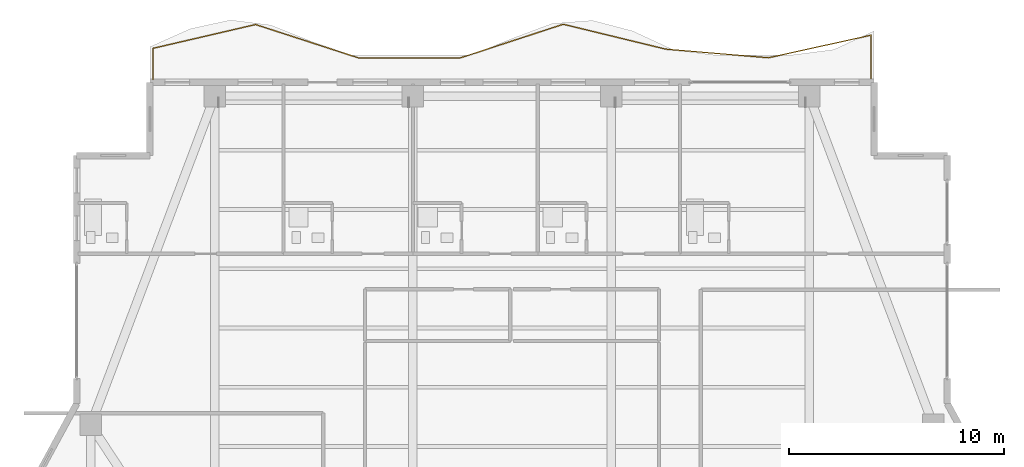
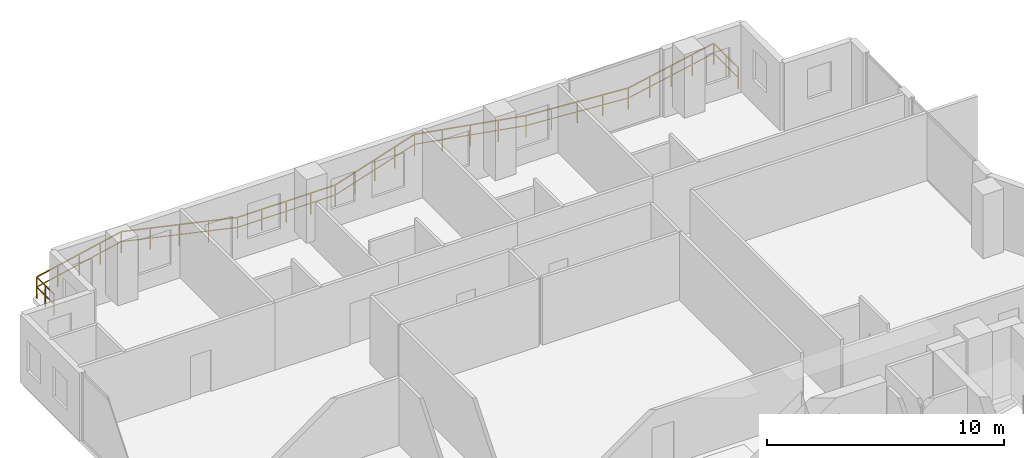
# One storey, part 27 of 28: 1 railing.
"""IFC4 building model written with IfcOpenShell, lengths in metres."""

import ifcopenshell
import ifcopenshell.guid

model = None  # the IFC model being written
_history = None  # IfcOwnerHistory: only IFC2X3 demands one
_inside = {}  # id of a spatial element -> (the spatial element, [elements in it])
_under = {}  # id of a project, library or spatial element -> (it, [spatial elements below it])
_declared = {}  # id of a project -> (the project, [libraries it declares])
_typed = {}  # id of a type object -> (the type object, [elements of that type])
_made_of = {}  # id of a material, layer set ... -> (it, [elements and type objects made of it])


def new_model(schema):
    """Start an empty IFC model of exactly this schema.

    Asked for "IFC4X3", IfcOpenShell would pick the latest addendum, in which some entities
    have other attributes; the version numbers below select the first issue.
    IFC2X3 requires an IfcOwnerHistory on every rooted entity: one is made here for all.
    """
    global model, _history
    if schema == "IFC4X3":
        model = ifcopenshell.file(schema_version=(4, 3, 0, 0))
    else:
        model = ifcopenshell.file(schema=schema)
    _inside.clear()
    _under.clear()
    _declared.clear()
    _typed.clear()
    _made_of.clear()
    _history = None
    if model.schema == "IFC2X3":
        org = make("IfcOrganization", Name="unknown")
        user = make(
            "IfcPersonAndOrganization",
            ThePerson=make("IfcPerson", FamilyName="unknown"),
            TheOrganization=org,
        )
        app = make(
            "IfcApplication",
            ApplicationDeveloper=org,
            Version="unknown",
            ApplicationFullName="unknown",
            ApplicationIdentifier="unknown",
        )
        _history = make(
            "IfcOwnerHistory",
            OwningUser=user,
            OwningApplication=app,
            ChangeAction="ADDED",
            CreationDate=0,
        )
    return model


def make(cls, **values):
    """One entity of the class cls with the attributes given. An attribute that is None is left unset."""
    return model.create_entity(
        cls, **{name: value for name, value in values.items() if value is not None}
    )


def rooted(cls, **values):
    """An entity with a GlobalId (a new one), such as an element, a storey or a relation."""
    return make(cls, GlobalId=ifcopenshell.guid.new(), OwnerHistory=_history, **values)


def si_unit(unit_type, name, prefix=None):
    """IfcSIUnit, for example si_unit("LENGTHUNIT", "METRE", prefix="MILLI")."""
    return make("IfcSIUnit", UnitType=unit_type, Prefix=prefix, Name=name)


def assignment(units):
    """IfcUnitAssignment: the units of a project."""
    return None if units is None else make("IfcUnitAssignment", Units=units)


def point(xyz):
    """IfcCartesianPoint."""
    return None if xyz is None else make("IfcCartesianPoint", Coordinates=xyz)


def direction(xyz):
    """IfcDirection."""
    return None if xyz is None else make("IfcDirection", DirectionRatios=xyz)


def frame(location, z_axis=None, x_axis=None):
    """IfcAxis2Placement3D, a coordinate frame: its origin and axes. An axis left out is left unset."""
    return make(
        "IfcAxis2Placement3D",
        Location=point(location),
        Axis=direction(z_axis),
        RefDirection=direction(x_axis),
    )


def frame_2d(location, x_axis=None):
    """IfcAxis2Placement2D, a coordinate frame in the plane: its origin and x axis."""
    return make(
        "IfcAxis2Placement2D", Location=point(location), RefDirection=direction(x_axis)
    )


def origin():
    """The frame at (0, 0, 0) with its axes left unset."""
    return frame((0.0, 0.0, 0.0))


def origin_2d():
    """The frame at (0, 0) in the plane with its x axis left unset."""
    return frame_2d((0.0, 0.0))


def place(relative_to, where):
    """IfcLocalPlacement: puts the frame where relative to a parent placement (None: the world)."""
    return make(
        "IfcLocalPlacement", PlacementRelTo=relative_to, RelativePlacement=where
    )


def context(
    kind, dimensions, precision=None, world=None, true_north=None, identifier=None
):
    """IfcGeometricRepresentationContext, for example the 3D "Model" context."""
    return make(
        "IfcGeometricRepresentationContext",
        ContextIdentifier=identifier,
        ContextType=kind,
        CoordinateSpaceDimension=dimensions,
        Precision=precision,
        WorldCoordinateSystem=world,
        TrueNorth=true_north,
    )


def subcontext(parent, identifier, kind, view, scale=None):
    """IfcGeometricRepresentationSubContext, for example "Body" below "Model"."""
    return make(
        "IfcGeometricRepresentationSubContext",
        ContextIdentifier=identifier,
        ContextType=kind,
        ParentContext=parent,
        TargetScale=scale,
        TargetView=view,
    )


def project(units=None, contexts=None):
    """IfcProject with its units and contexts."""
    return rooted(
        "IfcProject",
        Name="project",
        RepresentationContexts=contexts,
        UnitsInContext=assignment(units),
    )


def spatial(cls, under=None, at=None, **own):
    """A site, building, storey or space (cls), placed at a placement, below another one or the project."""
    s = rooted(cls, ObjectPlacement=at, **own)
    if under is not None:
        _under.setdefault(under.id(), (under, []))[1].append(s)
    return s


def profile(cls, at=None, kind="AREA", **sizes):
    """A parametric profile (cls). Its sizes go by their IFC names, for example OverallWidth=200.0."""
    return make(cls, ProfileType=kind, Position=at, **sizes)


def rectangle(**sizes):
    """IfcRectangleProfileDef."""
    return profile("IfcRectangleProfileDef", **sizes)


def extrude(swept, where, along, depth):
    """IfcExtrudedAreaSolid: the profile swept, set in the frame where, extruded along a direction by depth."""
    return make(
        "IfcExtrudedAreaSolid",
        SweptArea=swept,
        Position=where,
        ExtrudedDirection=direction(along),
        Depth=depth,
    )


def shape(context_of_items, identifier, shape_type, items):
    """IfcShapeRepresentation: the items that make up one representation, for example the "Body"."""
    return make(
        "IfcShapeRepresentation",
        ContextOfItems=context_of_items,
        RepresentationIdentifier=identifier,
        RepresentationType=shape_type,
        Items=items,
    )


def material(Name=None, Category=None):
    """IfcMaterial."""
    return make("IfcMaterial", Name=Name, Category=Category)


def made_of(thing, what):
    """Note that an element or type object is made of a material, layer set ...; save() writes the relation."""
    if what is not None:
        _made_of.setdefault(what.id(), (what, []))[1].append(thing)
    return thing


def type_object(cls, material=None, **own):
    """A type object (cls), such as IfcWallType, which elements share."""
    return made_of(rooted(cls, **own), material)


def element(
    cls,
    number,
    at=None,
    inside=None,
    cuts=None,
    type_object=None,
    material=None,
    context=None,
    identifier="Body",
    shape_type=None,
    held_by="IfcProductDefinitionShape",
    body=None,
    shapes=None,
    **own,
):
    """One element of the class cls, such as IfcWall. Its Tag is "e" and its number.

    at: its placement. inside: the storey or other place that contains it. cuts: it is an
    opening in that element (IfcRelVoidsElement). A single representation is given by context,
    identifier, shape_type and body (its items); several are given by shapes. held_by: the class
    of the entity that holds the representations. save() writes the other relations.
    """
    e = rooted(cls, Tag="e%d" % number, ObjectPlacement=at, **own)
    if body is not None:
        shapes = [shape(context, identifier, shape_type, body)]
    if shapes is not None:
        e.Representation = make(held_by, Representations=shapes)
    if inside is not None:
        _inside.setdefault(inside.id(), (inside, []))[1].append(e)
    if cuts is not None:
        rooted(
            "IfcRelVoidsElement", RelatingBuildingElement=cuts, RelatedOpeningElement=e
        )
    if type_object is not None:
        _typed.setdefault(type_object.id(), (type_object, []))[1].append(e)
    return made_of(e, material)


def aggregate(whole, parts):
    """IfcRelAggregates: a whole, such as a stair, and the parts it consists of."""
    return rooted("IfcRelAggregates", RelatingObject=whole, RelatedObjects=parts)


def save(model, path):
    """Write the relations noted so far, then the file.

    IfcRelAggregates (storeys below a building ...), IfcRelContainedInSpatialStructure (elements
    in a storey), IfcRelDefinesByType, IfcRelAssociatesMaterial and IfcRelDeclares: one each for
    every whole, place, type object, material and project.
    """
    for whole, parts in _under.values():
        aggregate(whole, parts)
    for where, things in _inside.values():
        rooted(
            "IfcRelContainedInSpatialStructure",
            RelatedElements=things,
            RelatingStructure=where,
        )
    for kind, things in _typed.values():
        rooted("IfcRelDefinesByType", RelatedObjects=things, RelatingType=kind)
    for what, things in _made_of.values():
        rooted("IfcRelAssociatesMaterial", RelatedObjects=things, RelatingMaterial=what)
    for by, libraries in _declared.values():
        rooted("IfcRelDeclares", RelatingContext=by, RelatedDefinitions=libraries)
    model.write(path)


model = new_model("IFC4")

# Units and contexts
model_context = context("Model", 3, precision=1e-05, world=origin(), true_north=direction((0.0, 1.0)))
body_context = subcontext(model_context, "Body", "Model", "MODEL_VIEW")
ifc_project = project(units=[si_unit("LENGTHUNIT", "METRE"), si_unit("AREAUNIT", "SQUARE_METRE"), si_unit("VOLUMEUNIT", "CUBIC_METRE"), si_unit("PLANEANGLEUNIT", "RADIAN"), si_unit("MASSUNIT", "GRAM", prefix="KILO")], contexts=[model_context])

# Site, building, storey
site_placement = place(None, origin())
site = spatial("IfcSite", under=ifc_project, at=site_placement, CompositionType="ELEMENT")
building_placement = place(site_placement, origin())
building = spatial("IfcBuilding", under=site, at=building_placement, Name="Zuhayl Quay Hotel", CompositionType="ELEMENT")
storey_placement = place(building_placement, frame((0.0, 0.0, 239.64990234375)))
storey = spatial("IfcBuildingStorey", under=building, at=storey_placement, Name="L60", CompositionType="ELEMENT", Elevation=239.64990234375)

# Railing
ifc_material = material(Name="Anodised Aluminium and Laminated Glass", Category="aluminium")
railing_type = type_object("IfcRailingType", Name="RL_EXT_BAL_1100", PredefinedType="BALUSTRADE", material=ifc_material)
railing_placement = place(storey_placement, frame((-16.659912109375, 39.1201171875, 0.0)))
element("IfcRailing", 1, at=railing_placement, inside=storey, type_object=railing_type, Name="L60 Balcony and Terrace Guard GR_L60_BAL_N", PredefinedType="BALUSTRADE", context=body_context, shape_type="SweptSolid", body=[
    extrude(rectangle(XDim=0.048095703125, YDim=0.048095703125, at=origin_2d()), frame((0.0, 0.0, 1.09619140625), z_axis=(0.0, 1.0, 0.0), x_axis=(-1.0, 0.0, 0.0)), (0.0, 0.0, 1.0), 1.45849609375),
    extrude(rectangle(XDim=0.0361328125, YDim=0.0361328125, at=origin_2d()), frame((0.0, 0.0, 0.58251953125), z_axis=(0.0, 1.0, 0.0), x_axis=(-1.0, 0.0, 0.0)), (0.0, 0.0, 1.0), 1.45849609375),
    extrude(rectangle(XDim=0.048095703125, YDim=0.048095703125, at=origin_2d()), frame((0.0, 1.45849609375, 1.09619140625), z_axis=(0.974142186072, 0.225935834509, 0.0), x_axis=(-0.225935834509, 0.974142186072, 0.0)), (0.0, 0.0, 1.0), 4.886474609375),
    extrude(rectangle(XDim=0.0361328125, YDim=0.0361328125, at=origin_2d()), frame((0.0, 1.45849609375, 0.58251953125), z_axis=(0.974142186072, 0.225935834509, 0.0), x_axis=(-0.225935834509, 0.974142186072, 0.0)), (0.0, 0.0, 1.0), 4.886474609375),
    extrude(rectangle(XDim=0.048095703125, YDim=0.048095703125, at=origin_2d()), frame((4.760009765625, 2.5625, 1.09619140625), z_axis=(0.951285102858, -0.308312589884, 0.0), x_axis=(0.308312589884, 0.951285102858, 0.0)), (0.0, 0.0, 1.0), 5.003662109375),
    extrude(rectangle(XDim=0.0361328125, YDim=0.0361328125, at=origin_2d()), frame((4.760009765625, 2.5625, 0.58251953125), z_axis=(0.951285102858, -0.308312589884, 0.0), x_axis=(0.308312589884, 0.951285102858, 0.0)), (0.0, 0.0, 1.0), 5.003662109375),
    extrude(rectangle(XDim=0.048095703125, YDim=0.048095703125, at=origin_2d()), frame((9.52001953125, 1.019775390625, 1.09619140625), z_axis=(1.0, 0.0, 0.0), x_axis=(0.0, 1.0, 0.0)), (0.0, 0.0, 1.0), 4.760009765625),
    extrude(rectangle(XDim=0.0361328125, YDim=0.0361328125, at=origin_2d()), frame((9.52001953125, 1.019775390625, 0.58251953125), z_axis=(1.0, 0.0, 0.0), x_axis=(0.0, 1.0, 0.0)), (0.0, 0.0, 1.0), 4.760009765625),
    extrude(rectangle(XDim=0.048095703125, YDim=0.048095703125, at=origin_2d()), frame((14.280029296875, 1.019775390625, 1.09619140625), z_axis=(0.950505293735, 0.310708362586, 0.0), x_axis=(-0.310708362586, 0.950505293735, 0.0)), (0.0, 0.0, 1.0), 5.007568359375),
    extrude(rectangle(XDim=0.0361328125, YDim=0.0361328125, at=origin_2d()), frame((14.280029296875, 1.019775390625, 0.58251953125), z_axis=(0.950505293735, 0.310708362586, 0.0), x_axis=(-0.310708362586, 0.950505293735, 0.0)), (0.0, 0.0, 1.0), 5.007568359375),
    extrude(rectangle(XDim=0.048095703125, YDim=0.048095703125, at=origin_2d()), frame((19.039794921875, 2.57568359375, 1.09619140625), z_axis=(0.97173067629, -0.236092127691, 0.0), x_axis=(0.236092127691, 0.97173067629, 0.0)), (0.0, 0.0, 1.0), 4.8984375),
    extrude(rectangle(XDim=0.0361328125, YDim=0.0361328125, at=origin_2d()), frame((19.039794921875, 2.57568359375, 0.58251953125), z_axis=(0.97173067629, -0.236092127691, 0.0), x_axis=(0.236092127691, 0.97173067629, 0.0)), (0.0, 0.0, 1.0), 4.8984375),
    extrude(rectangle(XDim=0.048095703125, YDim=0.048095703125, at=origin_2d()), frame((23.7998046875, 1.419189453125, 1.09619140625), z_axis=(0.996498009169, -0.083616491922, 0.0), x_axis=(0.083616491922, 0.996498009169, 0.0)), (0.0, 0.0, 1.0), 4.77685546875),
    extrude(rectangle(XDim=0.0361328125, YDim=0.0361328125, at=origin_2d()), frame((23.7998046875, 1.419189453125, 0.58251953125), z_axis=(0.996498009169, -0.083616491922, 0.0), x_axis=(0.083616491922, 0.996498009169, 0.0)), (0.0, 0.0, 1.0), 4.77685546875),
    extrude(rectangle(XDim=0.048095703125, YDim=0.048095703125, at=origin_2d()), frame((28.559814453125, 1.019775390625, 1.09619140625), z_axis=(0.976605980505, 0.215036645346, 0.0), x_axis=(-0.215036645346, 0.976605980505, 0.0)), (0.0, 0.0, 1.0), 4.8740234375),
    extrude(rectangle(XDim=0.0361328125, YDim=0.0361328125, at=origin_2d()), frame((28.559814453125, 1.019775390625, 0.58251953125), z_axis=(0.976605980505, 0.215036645346, 0.0), x_axis=(-0.215036645346, 0.976605980505, 0.0)), (0.0, 0.0, 1.0), 4.8740234375),
    extrude(rectangle(XDim=0.048095703125, YDim=0.048095703125, at=origin_2d()), frame((33.31982421875, 2.06787109375, 1.09619140625), z_axis=(0.0, -1.0, 0.0), x_axis=(1.0, 0.0, 0.0)), (0.0, 0.0, 1.0), 2.06787109375),
    extrude(rectangle(XDim=0.0361328125, YDim=0.0361328125, at=origin_2d()), frame((33.31982421875, 2.06787109375, 0.58251953125), z_axis=(0.0, -1.0, 0.0), x_axis=(1.0, 0.0, 0.0)), (0.0, 0.0, 1.0), 2.06787109375),
    extrude(rectangle(XDim=0.0419921875, YDim=0.0419921875, at=origin_2d()), origin(), (0.0, 0.0, 1.0), 1.072021484375),
    extrude(rectangle(XDim=0.0419921875, YDim=0.0419921875, at=origin_2d()), frame((0.0, 0.729248046875, 0.0)), (0.0, 0.0, 1.0), 1.072021484375),
    extrude(rectangle(XDim=0.0419921875, YDim=0.0419921875, at=origin_2d()), frame((0.0, 1.45849609375, 0.0)), (0.0, 0.0, 1.0), 1.072021484375),
    extrude(rectangle(XDim=0.0419921875, YDim=0.0419921875, at=origin_2d()), frame((1.18994140625, 1.734375, 0.0)), (0.0, 0.0, 1.0), 1.072021484375),
    extrude(rectangle(XDim=0.0419921875, YDim=0.0419921875, at=origin_2d()), frame((2.3798828125, 2.010498046875, 0.0)), (0.0, 0.0, 1.0), 1.072021484375),
    extrude(rectangle(XDim=0.0419921875, YDim=0.0419921875, at=origin_2d()), frame((3.570068359375, 2.28662109375, 0.0)), (0.0, 0.0, 1.0), 1.072021484375),
    extrude(rectangle(XDim=0.0419921875, YDim=0.0419921875, at=origin_2d()), frame((4.760009765625, 2.5625, 0.0)), (0.0, 0.0, 1.0), 1.072021484375),
    extrude(rectangle(XDim=0.0419921875, YDim=0.0419921875, at=origin_2d()), frame((5.949951171875, 2.1767578125, 0.0)), (0.0, 0.0, 1.0), 1.072021484375),
    extrude(rectangle(XDim=0.0419921875, YDim=0.0419921875, at=origin_2d()), frame((7.14013671875, 1.791015625, 0.0)), (0.0, 0.0, 1.0), 1.072021484375),
    extrude(rectangle(XDim=0.0419921875, YDim=0.0419921875, at=origin_2d()), frame((8.330078125, 1.405517578125, 0.0)), (0.0, 0.0, 1.0), 1.072021484375),
    extrude(rectangle(XDim=0.0419921875, YDim=0.0419921875, at=origin_2d()), frame((9.52001953125, 1.019775390625, 0.0)), (0.0, 0.0, 1.0), 1.072021484375),
    extrude(rectangle(XDim=0.0419921875, YDim=0.0419921875, at=origin_2d()), frame((10.7099609375, 1.019775390625, 0.0)), (0.0, 0.0, 1.0), 1.072021484375),
    extrude(rectangle(XDim=0.0419921875, YDim=0.0419921875, at=origin_2d()), frame((11.89990234375, 1.019775390625, 0.0)), (0.0, 0.0, 1.0), 1.072021484375),
    extrude(rectangle(XDim=0.0419921875, YDim=0.0419921875, at=origin_2d()), frame((13.090087890625, 1.019775390625, 0.0)), (0.0, 0.0, 1.0), 1.072021484375),
    extrude(rectangle(XDim=0.0419921875, YDim=0.0419921875, at=origin_2d()), frame((14.280029296875, 1.019775390625, 0.0)), (0.0, 0.0, 1.0), 1.072021484375),
    extrude(rectangle(XDim=0.0419921875, YDim=0.0419921875, at=origin_2d()), frame((15.469970703125, 1.40869140625, 0.0)), (0.0, 0.0, 1.0), 1.072021484375),
    extrude(rectangle(XDim=0.0419921875, YDim=0.0419921875, at=origin_2d()), frame((16.659912109375, 1.7978515625, 0.0)), (0.0, 0.0, 1.0), 1.072021484375),
    extrude(rectangle(XDim=0.0419921875, YDim=0.0419921875, at=origin_2d()), frame((17.849853515625, 2.186767578125, 0.0)), (0.0, 0.0, 1.0), 1.072021484375),
    extrude(rectangle(XDim=0.0419921875, YDim=0.0419921875, at=origin_2d()), frame((19.039794921875, 2.57568359375, 0.0)), (0.0, 0.0, 1.0), 1.072021484375),
    extrude(rectangle(XDim=0.0419921875, YDim=0.0419921875, at=origin_2d()), frame((20.229736328125, 2.28662109375, 0.0)), (0.0, 0.0, 1.0), 1.072021484375),
    extrude(rectangle(XDim=0.0419921875, YDim=0.0419921875, at=origin_2d()), frame((21.419921875, 1.99755859375, 0.0)), (0.0, 0.0, 1.0), 1.072021484375),
    extrude(rectangle(XDim=0.0419921875, YDim=0.0419921875, at=origin_2d()), frame((22.60986328125, 1.708251953125, 0.0)), (0.0, 0.0, 1.0), 1.072021484375),
    extrude(rectangle(XDim=0.0419921875, YDim=0.0419921875, at=origin_2d()), frame((23.7998046875, 1.419189453125, 0.0)), (0.0, 0.0, 1.0), 1.072021484375),
    extrude(rectangle(XDim=0.0419921875, YDim=0.0419921875, at=origin_2d()), frame((24.98974609375, 1.3193359375, 0.0)), (0.0, 0.0, 1.0), 1.072021484375),
    extrude(rectangle(XDim=0.0419921875, YDim=0.0419921875, at=origin_2d()), frame((26.1796875, 1.219482421875, 0.0)), (0.0, 0.0, 1.0), 1.072021484375),
    extrude(rectangle(XDim=0.0419921875, YDim=0.0419921875, at=origin_2d()), frame((27.369873046875, 1.11962890625, 0.0)), (0.0, 0.0, 1.0), 1.072021484375),
    extrude(rectangle(XDim=0.0419921875, YDim=0.0419921875, at=origin_2d()), frame((28.559814453125, 1.019775390625, 0.0)), (0.0, 0.0, 1.0), 1.072021484375),
    extrude(rectangle(XDim=0.0419921875, YDim=0.0419921875, at=origin_2d()), frame((29.749755859375, 1.28173828125, 0.0)), (0.0, 0.0, 1.0), 1.072021484375),
    extrude(rectangle(XDim=0.0419921875, YDim=0.0419921875, at=origin_2d()), frame((30.93994140625, 1.5439453125, 0.0)), (0.0, 0.0, 1.0), 1.072021484375),
    extrude(rectangle(XDim=0.0419921875, YDim=0.0419921875, at=origin_2d()), frame((32.1298828125, 1.805908203125, 0.0)), (0.0, 0.0, 1.0), 1.072021484375),
    extrude(rectangle(XDim=0.0419921875, YDim=0.0419921875, at=origin_2d()), frame((33.31982421875, 2.06787109375, 0.0)), (0.0, 0.0, 1.0), 1.072021484375),
    extrude(rectangle(XDim=0.0419921875, YDim=0.0419921875, at=origin_2d()), frame((33.31982421875, 1.033935546875, 0.0)), (0.0, 0.0, 1.0), 1.072021484375),
    extrude(rectangle(XDim=0.0419921875, YDim=0.0419921875, at=origin_2d()), frame((33.31982421875, 0.0, 0.0)), (0.0, 0.0, 1.0), 1.072021484375),
])

save(model, "model.ifc")
